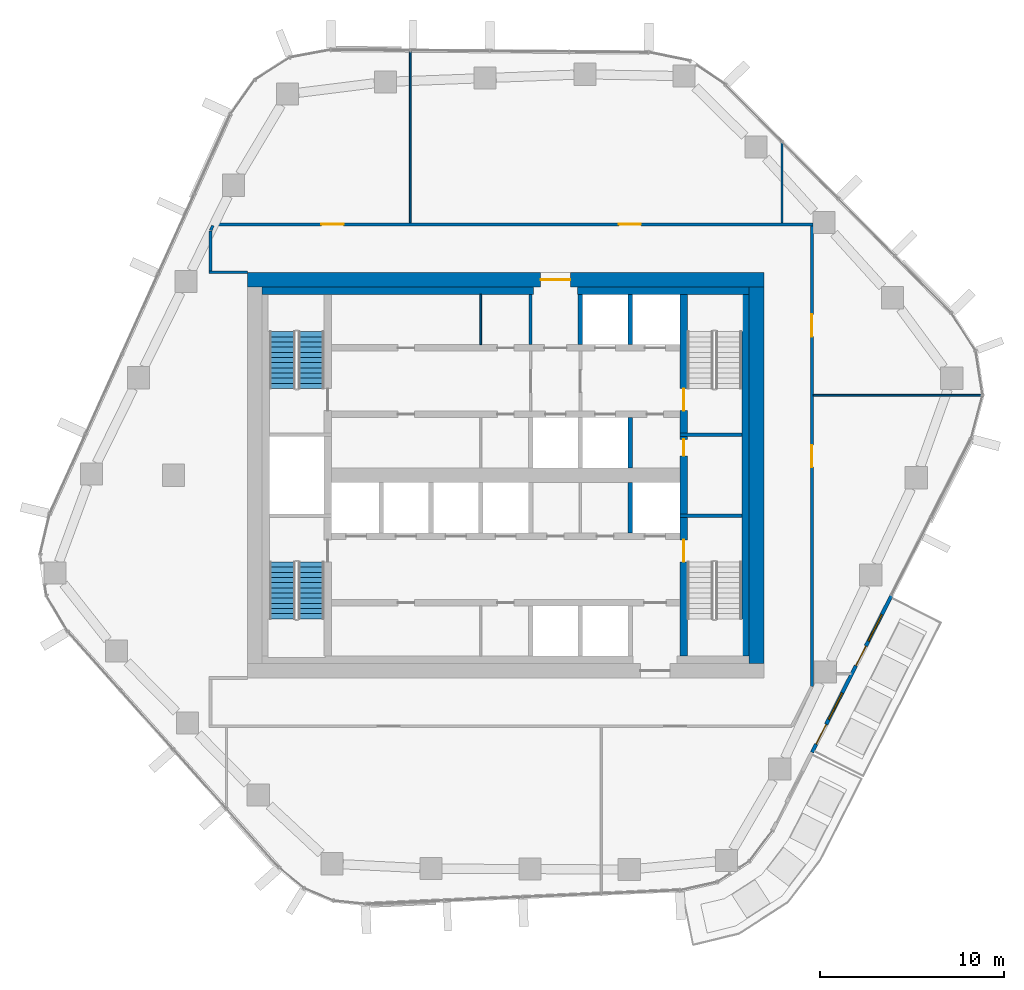
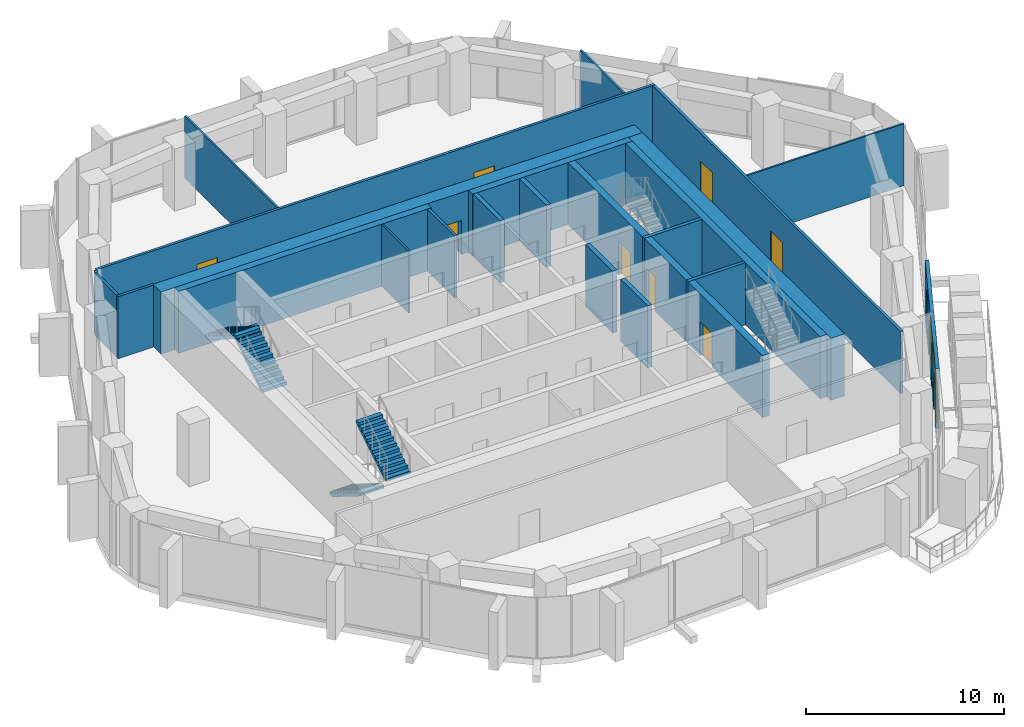
# One storey, part 12 of 17: 25 walls, 10 doors, 4 stair flights, 2 windows, 12 openings, 2 elements without a shape of their own.
"""IFC4 building model written with IfcOpenShell, lengths in metres."""

from ifc_helpers import new_model, si_unit, direction, frame, frame_2d, origin, place, context, subcontext, project, spatial, polyline, rectangle, outline, extrude, material, layer, layer_set, type_object, element, fill, aggregate, save


model = new_model("IFC4")

# Units and contexts
model_context = context("Model", 3, precision=1e-05, world=origin(), true_north=direction((0.0, 1.0)))
body_context = subcontext(model_context, "Body", "Model", "MODEL_VIEW")
ifc_project = project(units=[si_unit("LENGTHUNIT", "METRE"), si_unit("AREAUNIT", "SQUARE_METRE"), si_unit("VOLUMEUNIT", "CUBIC_METRE"), si_unit("PLANEANGLEUNIT", "RADIAN"), si_unit("MASSUNIT", "GRAM", prefix="KILO")], contexts=[model_context])

# Site, building, storey
site_placement = place(None, origin())
site = spatial("IfcSite", under=ifc_project, at=site_placement, CompositionType="ELEMENT")
building_placement = place(site_placement, origin())
building = spatial("IfcBuilding", under=site, at=building_placement, Name="Dongbaek Canopy Tower", CompositionType="ELEMENT")
storey_placement = place(building_placement, frame((0.0, 0.0, 175.39990234375)))
storey = spatial("IfcBuildingStorey", under=building, at=storey_placement, Name="L38", CompositionType="ELEMENT", Elevation=175.39990234375)

# Wall, opening, door
ifc_material_1 = material(Name="Concrete C70/85", Category="concrete")
ifc_layer_1 = layer(ifc_material_1, 0.800048828125)
ifc_layer_set_1 = layer_set([ifc_layer_1], Name="Core outer wall 800 Concrete C70/85")
wall_type_1 = type_object("IfcWallType", Name="Core outer wall 800 Concrete C70/85", PredefinedType="SHEAR", material=ifc_layer_set_1)
wall_1_placement = place(storey_placement, frame((-14.0, 10.60009765625, 0.0), z_axis=(0.0, 0.0, 1.0), x_axis=(1.0, 0.0, 0.0)))
wall_1 = element("IfcWall", 1, at=wall_1_placement, inside=storey, type_object=wall_type_1, Name="Core wall", PredefinedType="SHEAR", context=body_context, shape_type="SweptSolid", body=[
    extrude(rectangle(XDim=28.0, YDim=0.800048828125, at=frame_2d((14.0, 0.0))), origin(), (0.0, 0.0, 1.0), 3.820068359375),
])
opening_1_placement = place(wall_1_placement, frame((15.89990234375, 0.0, 0.0)))
opening_1 = element("IfcOpeningElement", 2, at=opening_1_placement, cuts=wall_1, Name="Opening L38-D008", PredefinedType="OPENING", context=body_context, shape_type="SweptSolid", body=[
    extrude(rectangle(XDim=1.60009765625, YDim=2.10009765625, at=frame_2d((0.800048828125, 1.050048828125))), frame((0.0, 0.409912109375, 0.0), z_axis=(0.0, -1.0, 0.0), x_axis=(1.0, 0.0, 0.0)), (0.0, 0.0, 1.0), 0.820068359375),
])
ifc_material_2 = material(Name="Steel", Category="steel")
door_type_1 = type_object("IfcDoorType", Name="Core exit door 1600 x 2100", OperationType="DOUBLE_DOOR_SINGLE_SWING", PredefinedType="DOOR", material=ifc_material_2)
door_1_placement = place(opening_1_placement, origin())
door_1 = element("IfcDoor", 3, at=door_1_placement, inside=storey, type_object=door_type_1, Name="Core exit door", OperationType="DOUBLE_DOOR_SINGLE_SWING", OverallHeight=2.10009765625, OverallWidth=1.60009765625, PredefinedType="DOOR", context=body_context, shape_type="SweptSolid", body=[
    extrude(rectangle(XDim=1.60009765625, YDim=2.10009765625, at=frame_2d((0.800048828125, 1.050048828125))), frame((0.0, 0.02490234375, 0.0), z_axis=(0.0, -1.0, 0.0), x_axis=(1.0, 0.0, 0.0)), (0.0, 0.0, 1.0), 0.050048828125),
])
fill(opening_1, door_1)

# Walls
wall_2_placement = place(storey_placement, frame((13.60009765625, 10.199951171875, 0.0), z_axis=(0.0, 0.0, 1.0), x_axis=(0.0, -1.0, 0.0)))
element("IfcWall", 4, at=wall_2_placement, inside=storey, type_object=wall_type_1, Name="Core wall", PredefinedType="SHEAR", context=body_context, shape_type="SweptSolid", body=[
    extrude(rectangle(XDim=20.39990234375, YDim=0.800048828125, at=frame_2d((10.199951171875, 0.0))), origin(), (0.0, 0.0, 1.0), 3.820068359375),
])
ifc_material_3 = material(Name="Concrete C60/75", Category="concrete")
ifc_layer_2 = layer(ifc_material_3, 0.39990234375)
ifc_layer_set_2 = layer_set([ifc_layer_2], Name="Core wall lining 400 Concrete C60/75")
wall_type_2 = type_object("IfcWallType", Name="Core wall lining 400 Concrete C60/75", PredefinedType="SHEAR", material=ifc_layer_set_2)
wall_3_placement = place(storey_placement, frame((-13.199951171875, 10.0, 0.0), z_axis=(0.0, 0.0, 1.0), x_axis=(1.0, 0.0, 0.0)))
element("IfcWall", 5, at=wall_3_placement, inside=storey, type_object=wall_type_2, Name="Core wall lining", PredefinedType="SHEAR", context=body_context, shape_type="SweptSolid", body=[
    extrude(rectangle(XDim=14.699951171875, YDim=0.39990234375, at=frame_2d((7.35009765625, 0.0))), origin(), (0.0, 0.0, 1.0), 3.820068359375),
])
wall_4_placement = place(storey_placement, frame((3.89990234375, 10.0, 0.0), z_axis=(0.0, 0.0, 1.0), x_axis=(1.0, 0.0, 0.0)))
element("IfcWall", 6, at=wall_4_placement, inside=storey, type_object=wall_type_2, Name="Core wall lining", PredefinedType="SHEAR", context=body_context, shape_type="SweptSolid", body=[
    extrude(rectangle(XDim=9.300048828125, YDim=0.39990234375, at=frame_2d((4.64990234375, 0.0))), origin(), (0.0, 0.0, 1.0), 3.820068359375),
])
wall_5_placement = place(storey_placement, frame((13.0, 9.800048828125, 0.0), z_axis=(0.0, 0.0, 1.0), x_axis=(0.0, -1.0, 0.0)))
element("IfcWall", 7, at=wall_5_placement, inside=storey, type_object=wall_type_2, Name="Core wall lining", PredefinedType="SHEAR", context=body_context, shape_type="SweptSolid", body=[
    extrude(rectangle(XDim=19.60009765625, YDim=0.39990234375, at=frame_2d((9.800048828125, 0.0))), origin(), (0.0, 0.0, 1.0), 3.820068359375),
])
ifc_material_4 = material(Name="Gypsum board partition, steel stud, 2 x 15 mm fire board", Category="steel")
ifc_layer_3 = layer(ifc_material_4, 0.14990234375)
ifc_layer_set_3 = layer_set([ifc_layer_3], Name="Fire-rated partition 150 gypsum board")
wall_type_3 = type_object("IfcWallType", Name="Fire-rated partition 150 gypsum board", PredefinedType="PARTITIONING", material=ifc_layer_set_3)
wall_6_placement = place(storey_placement, frame((-16.074951171875, 10.9990234375, 0.0), z_axis=(0.0, 0.0, 1.0), x_axis=(1.0, 0.0, 0.0)))
element("IfcWall", 8, at=wall_6_placement, inside=storey, type_object=wall_type_3, Name="Corridor partition", PredefinedType="PARTITIONING", context=body_context, shape_type="SweptSolid", body=[
    extrude(rectangle(XDim=2.074951171875, YDim=0.14990234375, at=frame_2d((1.03759765625, 0.0))), origin(), (0.0, 0.0, 1.0), 3.820068359375),
])

# Wall, openings, doors
wall_7_placement = place(storey_placement, frame((-15.841552734375, 13.60009765625, 0.0), z_axis=(0.0, 0.0, 1.0), x_axis=(1.0, 0.0, 0.0)))
wall_7 = element("IfcWall", 9, at=wall_7_placement, inside=storey, type_object=wall_type_3, Name="Corridor partition", PredefinedType="PARTITIONING", context=body_context, shape_type="SweptSolid", body=[
    extrude(rectangle(XDim=32.50244140625, YDim=0.14990234375, at=frame_2d((16.251220703125, 0.0))), origin(), (0.0, 0.0, 1.0), 3.820068359375),
])
opening_2_placement = place(wall_7_placement, frame((21.974365234375, 0.0, 0.0)))
opening_2 = element("IfcOpeningElement", 10, at=opening_2_placement, cuts=wall_7, Name="Opening L38-D005", PredefinedType="OPENING", context=body_context, shape_type="SweptSolid", body=[
    extrude(rectangle(XDim=1.199951171875, YDim=2.10009765625, at=frame_2d((0.60009765625, 1.050048828125))), frame((0.0, 0.0849609375, 0.0), z_axis=(0.0, -1.0, 0.0), x_axis=(1.0, 0.0, 0.0)), (0.0, 0.0, 1.0), 0.169921875),
])
opening_3_placement = place(wall_7_placement, frame((5.853759765625, 0.0, 0.0)))
opening_3 = element("IfcOpeningElement", 11, at=opening_3_placement, cuts=wall_7, Name="Opening L38-D006", PredefinedType="OPENING", context=body_context, shape_type="SweptSolid", body=[
    extrude(rectangle(XDim=1.199951171875, YDim=2.10009765625, at=frame_2d((0.60009765625, 1.050048828125))), frame((0.0, 0.0849609375, 0.0), z_axis=(0.0, -1.0, 0.0), x_axis=(1.0, 0.0, 0.0)), (0.0, 0.0, 1.0), 0.169921875),
])
ifc_material_5 = material(Name="Timber veneered door leaf", Category="wood")
door_type_2 = type_object("IfcDoorType", Name="Room door 1200 x 2100", OperationType="SINGLE_SWING_LEFT", PredefinedType="DOOR", material=ifc_material_5)
door_2_placement = place(opening_2_placement, origin())
door_2 = element("IfcDoor", 12, at=door_2_placement, inside=storey, type_object=door_type_2, Name="Door L38-D005", OperationType="SINGLE_SWING_RIGHT", OverallHeight=2.10009765625, OverallWidth=1.199951171875, PredefinedType="DOOR", context=body_context, shape_type="SweptSolid", body=[
    extrude(rectangle(XDim=1.199951171875, YDim=2.10009765625, at=frame_2d((0.60009765625, 1.050048828125))), frame((0.0, 0.02490234375, 0.0), z_axis=(0.0, -1.0, 0.0), x_axis=(1.0, 0.0, 0.0)), (0.0, 0.0, 1.0), 0.050048828125),
])
fill(opening_2, door_2)
door_3_placement = place(opening_3_placement, origin())
door_3 = element("IfcDoor", 13, at=door_3_placement, inside=storey, type_object=door_type_2, Name="Door L38-D006", OperationType="SINGLE_SWING_LEFT", OverallHeight=2.10009765625, OverallWidth=1.199951171875, PredefinedType="DOOR", context=body_context, shape_type="SweptSolid", body=[
    extrude(rectangle(XDim=1.199951171875, YDim=2.10009765625, at=frame_2d((0.60009765625, 1.050048828125))), frame((0.0, 0.02490234375, 0.0), z_axis=(0.0, -1.0, 0.0), x_axis=(1.0, 0.0, 0.0)), (0.0, 0.0, 1.0), 0.050048828125),
])
fill(opening_3, door_3)

# Wall
wall_8_placement = place(storey_placement, frame((-15.98681640625, 13.279541015625, 0.0), z_axis=(0.0, 0.0, 1.0), x_axis=(0.411842245902, 0.911255158828, 0.0)))
element("IfcWall", 14, at=wall_8_placement, inside=storey, type_object=wall_type_3, Name="Corridor partition", PredefinedType="PARTITIONING", context=body_context, shape_type="SweptSolid", body=[
    extrude(rectangle(XDim=0.281494140625, YDim=0.14990234375, at=frame_2d((0.140625, 0.0))), origin(), (0.0, 0.0, 1.0), 3.820068359375),
])

# Wall, openings, doors
wall_9_placement = place(storey_placement, frame((16.60009765625, 13.52490234375, 0.0), z_axis=(0.0, 0.0, 1.0), x_axis=(0.0, -1.0, 0.0)))
wall_9 = element("IfcWall", 15, at=wall_9_placement, inside=storey, type_object=wall_type_3, Name="Corridor partition", PredefinedType="PARTITIONING", context=body_context, shape_type="SweptSolid", body=[
    extrude(rectangle(XDim=24.974609375, YDim=0.14990234375, at=frame_2d((12.4873046875, 0.0))), origin(), (0.0, 0.0, 1.0), 3.820068359375),
])
opening_4_placement = place(wall_9_placement, frame((11.88818359375, 0.0, 0.0)))
opening_4 = element("IfcOpeningElement", 16, at=opening_4_placement, cuts=wall_9, Name="Opening L38-D003", PredefinedType="OPENING", context=body_context, shape_type="SweptSolid", body=[
    extrude(rectangle(XDim=1.199951171875, YDim=2.10009765625, at=frame_2d((0.60009765625, 1.050048828125))), frame((0.0, 0.0849609375, 0.0), z_axis=(0.0, -1.0, 0.0), x_axis=(1.0, 0.0, 0.0)), (0.0, 0.0, 1.0), 0.169921875),
])
opening_5_placement = place(wall_9_placement, frame((4.80810546875, 0.0, 0.0)))
opening_5 = element("IfcOpeningElement", 17, at=opening_5_placement, cuts=wall_9, Name="Opening L38-D004", PredefinedType="OPENING", context=body_context, shape_type="SweptSolid", body=[
    extrude(rectangle(XDim=1.199951171875, YDim=2.10009765625, at=frame_2d((0.60009765625, 1.050048828125))), frame((0.0, 0.0849609375, 0.0), z_axis=(0.0, -1.0, 0.0), x_axis=(1.0, 0.0, 0.0)), (0.0, 0.0, 1.0), 0.169921875),
])
door_4_placement = place(opening_4_placement, origin())
door_4 = element("IfcDoor", 18, at=door_4_placement, inside=storey, type_object=door_type_2, Name="Door L38-D003", OperationType="SINGLE_SWING_RIGHT", OverallHeight=2.10009765625, OverallWidth=1.199951171875, PredefinedType="DOOR", context=body_context, shape_type="SweptSolid", body=[
    extrude(rectangle(XDim=1.199951171875, YDim=2.10009765625, at=frame_2d((0.60009765625, 1.050048828125))), frame((0.0, 0.02490234375, 0.0), z_axis=(0.0, -1.0, 0.0), x_axis=(1.0, 0.0, 0.0)), (0.0, 0.0, 1.0), 0.050048828125),
])
fill(opening_4, door_4)
door_5_placement = place(opening_5_placement, origin())
door_5 = element("IfcDoor", 19, at=door_5_placement, inside=storey, type_object=door_type_2, Name="Door L38-D004", OperationType="SINGLE_SWING_LEFT", OverallHeight=2.10009765625, OverallWidth=1.199951171875, PredefinedType="DOOR", context=body_context, shape_type="SweptSolid", body=[
    extrude(rectangle(XDim=1.199951171875, YDim=2.10009765625, at=frame_2d((0.60009765625, 1.050048828125))), frame((0.0, 0.02490234375, 0.0), z_axis=(0.0, -1.0, 0.0), x_axis=(1.0, 0.0, 0.0)), (0.0, 0.0, 1.0), 0.050048828125),
])
fill(opening_5, door_5)

# Walls
wall_10_placement = place(storey_placement, frame((-16.0, 11.073974609375, 0.0), z_axis=(0.0, 0.0, 1.0), x_axis=(0.0, 1.0, 0.0)))
element("IfcWall", 20, at=wall_10_placement, inside=storey, type_object=wall_type_3, Name="Corridor partition", PredefinedType="PARTITIONING", context=body_context, shape_type="SweptSolid", body=[
    extrude(rectangle(XDim=2.175537109375, YDim=0.14990234375, at=frame_2d((1.087890625, 0.0))), origin(), (0.0, 0.0, 1.0), 3.820068359375),
])
wall_11_placement = place(storey_placement, frame((1.35009765625, 7.074951171875, 0.0), z_axis=(0.0, 0.0, 1.0), x_axis=(0.0, 1.0, 0.0)))
element("IfcWall", 21, at=wall_11_placement, inside=storey, type_object=wall_type_3, Name="Fire lobby partition", PredefinedType="PARTITIONING", context=body_context, shape_type="SweptSolid", body=[
    extrude(rectangle(XDim=2.72509765625, YDim=0.14990234375, at=frame_2d((1.362548828125, 0.0))), origin(), (0.0, 0.0, 1.0), 3.820068359375),
])
ifc_material_6 = material(Name="Concrete C40/50", Category="concrete")
ifc_layer_4 = layer(ifc_material_6, 0.25)
ifc_layer_set_4 = layer_set([ifc_layer_4], Name="Lift shaft wall 250 Concrete C40/50")
wall_type_4 = type_object("IfcWallType", Name="Lift shaft wall 250 Concrete C40/50", PredefinedType="SOLIDWALL", material=ifc_layer_set_4)
for number, where, z_axis, x_axis, name in (
    (22, (6.75, -3.125, 0.0), (0.0, 0.0, 1.0), (0.0, 1.0, 0.0), "Lift shaft wall"),
    (23, (6.75, 0.39990234375, 0.0), (0.0, 0.0, 1.0), (0.0, 1.0, 0.0), "Lift shaft wall"),
    (24, (6.75, 7.074951171875, 0.0), (0.0, 0.0, 1.0), (0.0, 1.0, 0.0), "Lift shaft wall"),
    (25, (4.050048828125, 7.074951171875, 0.0), (0.0, 0.0, 1.0), (0.0, 1.0, 0.0), "Lift shaft wall"),
):
    element("IfcWall", number, at=place(storey_placement, frame(where, z_axis=z_axis, x_axis=x_axis)), inside=storey, type_object=wall_type_4, Name=name, PredefinedType="SOLIDWALL", context=body_context, shape_type="SweptSolid", body=[
        extrude(rectangle(XDim=2.72509765625, YDim=0.25, at=frame_2d((1.362548828125, 0.0))), origin(), (0.0, 0.0, 1.0), 3.820068359375),
    ])
ifc_material_7 = material(Name="Gypsum board partition, steel stud, 2 x 12.5 mm board", Category="steel")
ifc_layer_5 = layer(ifc_material_7, 0.10009765625)
ifc_layer_set_5 = layer_set([ifc_layer_5], Name="Partition 100 gypsum board")
wall_type_5 = type_object("IfcWallType", Name="Partition 100 gypsum board", PredefinedType="PARTITIONING", material=ifc_layer_set_5)
wall_12_placement = place(storey_placement, frame((16.675048828125, 4.340087890625, 0.0), z_axis=(0.0, 0.0, 1.0), x_axis=(1.0, 0.0, 0.0)))
element("IfcWall", 26, at=wall_12_placement, inside=storey, type_object=wall_type_5, Name="Partition", PredefinedType="PARTITIONING", context=body_context, shape_type="SweptSolid", body=[
    extrude(rectangle(XDim=9.154296875, YDim=0.10009765625, at=frame_2d((4.5771484375, 0.0))), origin(), (0.0, 0.0, 1.0), 3.820068359375),
])
wall_13_placement = place(storey_placement, frame((14.97509765625, 13.675048828125, 0.0), z_axis=(0.0, 0.0, 1.0), x_axis=(0.0, 1.0, 0.0)))
element("IfcWall", 27, at=wall_13_placement, inside=storey, type_object=wall_type_5, Name="Partition", PredefinedType="PARTITIONING", context=body_context, shape_type="SweptSolid", body=[
    extrude(rectangle(XDim=4.378662109375, YDim=0.10009765625, at=frame_2d((2.189453125, 0.0))), origin(), (0.0, 0.0, 1.0), 3.820068359375),
])
wall_14_placement = place(storey_placement, frame((-5.173095703125, 13.675048828125, 0.0), z_axis=(0.0, 0.0, 1.0), x_axis=(0.0, 1.0, 0.0)))
element("IfcWall", 28, at=wall_14_placement, inside=storey, type_object=wall_type_5, Name="Partition", PredefinedType="PARTITIONING", context=body_context, shape_type="SweptSolid", body=[
    extrude(rectangle(XDim=9.33349609375, YDim=0.10009765625, at=frame_2d((4.666748046875, 0.0))), origin(), (0.0, 0.0, 1.0), 3.820068359375),
])
wall_15_placement = place(storey_placement, frame((-1.35009765625, 7.074951171875, 0.0), z_axis=(0.0, 0.0, 1.0), x_axis=(0.0, 1.0, 0.0)))
element("IfcWall", 29, at=wall_15_placement, inside=storey, type_object=wall_type_5, Name="Core partition", PredefinedType="PARTITIONING", context=body_context, shape_type="SweptSolid", body=[
    extrude(rectangle(XDim=2.72509765625, YDim=0.10009765625, at=frame_2d((1.362548828125, 0.0))), origin(), (0.0, 0.0, 1.0), 3.820068359375),
])
ifc_material_8 = material(Name="Concrete C60/75", Category="concrete")
ifc_layer_6 = layer(ifc_material_8, 0.199951171875)
ifc_layer_set_6 = layer_set([ifc_layer_6], Name="Riser wall 200 Concrete C60/75")
wall_type_6 = type_object("IfcWallType", Name="Riser wall 200 Concrete C60/75", PredefinedType="SHEAR", material=ifc_layer_set_6)
for number, where, z_axis, x_axis, name in (
    (30, (9.449951171875, 2.199951171875, 0.0), (0.0, 0.0, 1.0), (1.0, 0.0, 0.0), "Riser wall"),
    (31, (9.449951171875, -2.199951171875, 0.0), (0.0, 0.0, 1.0), (1.0, 0.0, 0.0), "Riser wall"),
):
    element("IfcWall", number, at=place(storey_placement, frame(where, z_axis=z_axis, x_axis=x_axis)), inside=storey, type_object=wall_type_6, Name=name, PredefinedType="SHEAR", context=body_context, shape_type="SweptSolid", body=[
        extrude(rectangle(XDim=3.35009765625, YDim=0.199951171875, at=frame_2d((1.675048828125, 0.0))), origin(), (0.0, 0.0, 1.0), 3.820068359375),
    ])

# Wall, opening, door
ifc_material_9 = material(Name="Concrete C60/75", Category="concrete")
ifc_layer_7 = layer(ifc_material_9, 0.39990234375)
ifc_layer_set_7 = layer_set([ifc_layer_7], Name="Stair wall 400 Concrete C60/75")
wall_type_7 = type_object("IfcWallType", Name="Stair wall 400 Concrete C60/75", PredefinedType="SHEAR", material=ifc_layer_set_7)
wall_16_placement = place(storey_placement, frame((9.64990234375, -2.300048828125, 0.0), z_axis=(0.0, 0.0, 1.0), x_axis=(0.0, -1.0, 0.0)))
wall_16 = element("IfcWall", 32, at=wall_16_placement, inside=storey, type_object=wall_type_7, Name="Stair wall", PredefinedType="SHEAR", context=body_context, shape_type="SweptSolid", body=[
    extrude(rectangle(XDim=7.5, YDim=0.39990234375, at=frame_2d((3.75, 0.0))), origin(), (0.0, 0.0, 1.0), 3.820068359375),
])
opening_6_placement = place(wall_16_placement, frame((1.199951171875, 0.0, 0.0)))
opening_6 = element("IfcOpeningElement", 33, at=opening_6_placement, cuts=wall_16, Name="Opening L38-D032", PredefinedType="OPENING", context=body_context, shape_type="SweptSolid", body=[
    extrude(rectangle(XDim=1.199951171875, YDim=2.10009765625, at=frame_2d((0.60009765625, 1.050048828125))), frame((0.0, 0.2099609375, 0.0), z_axis=(0.0, -1.0, 0.0), x_axis=(1.0, 0.0, 0.0)), (0.0, 0.0, 1.0), 0.419921875),
])
ifc_material_10 = material(Name="Steel", Category="steel")
door_type_3 = type_object("IfcDoorType", Name="Stair door 1200 x 2100", OperationType="SINGLE_SWING_LEFT", PredefinedType="DOOR", material=ifc_material_10)
door_6_placement = place(opening_6_placement, origin())
door_6 = element("IfcDoor", 34, at=door_6_placement, inside=storey, type_object=door_type_3, Name="Stair B door", OperationType="SINGLE_SWING_RIGHT", OverallHeight=2.10009765625, OverallWidth=1.199951171875, PredefinedType="DOOR", context=body_context, shape_type="SweptSolid", body=[
    extrude(rectangle(XDim=1.199951171875, YDim=2.10009765625, at=frame_2d((0.60009765625, 1.050048828125))), frame((0.0, 0.02490234375, 0.0), z_axis=(0.0, -1.0, 0.0), x_axis=(1.0, 0.0, 0.0)), (0.0, 0.0, 1.0), 0.050048828125),
])
fill(opening_6, door_6)

wall_17_placement = place(storey_placement, frame((9.64990234375, 2.10009765625, 0.0), z_axis=(0.0, 0.0, 1.0), x_axis=(0.0, -1.0, 0.0)))
wall_17 = element("IfcWall", 35, at=wall_17_placement, inside=storey, type_object=wall_type_7, Name="Stair wall", PredefinedType="SHEAR", context=body_context, shape_type="SweptSolid", body=[
    extrude(rectangle(XDim=4.2001953125, YDim=0.39990234375, at=frame_2d((2.10009765625, 0.0))), origin(), (0.0, 0.0, 1.0), 3.820068359375),
])
opening_7_placement = place(wall_17_placement, frame((0.14990234375, 0.0, 0.0)))
opening_7 = element("IfcOpeningElement", 36, at=opening_7_placement, cuts=wall_17, Name="Opening L38-D007", PredefinedType="OPENING", context=body_context, shape_type="SweptSolid", body=[
    extrude(rectangle(XDim=0.89990234375, YDim=2.10009765625, at=frame_2d((0.449951171875, 1.050048828125))), frame((0.0, 0.2099609375, 0.0), z_axis=(0.0, -1.0, 0.0), x_axis=(1.0, 0.0, 0.0)), (0.0, 0.0, 1.0), 0.419921875),
])
ifc_material_11 = material(Name="Steel", Category="steel")
door_type_4 = type_object("IfcDoorType", Name="Core room door 900 x 2100", OperationType="SINGLE_SWING_LEFT", PredefinedType="DOOR", material=ifc_material_11)
door_7_placement = place(opening_7_placement, origin())
door_7 = element("IfcDoor", 37, at=door_7_placement, inside=storey, type_object=door_type_4, Name="Door L38-D007", OperationType="SINGLE_SWING_RIGHT", OverallHeight=2.10009765625, OverallWidth=0.89990234375, PredefinedType="DOOR", context=body_context, shape_type="SweptSolid", body=[
    extrude(rectangle(XDim=0.89990234375, YDim=2.10009765625, at=frame_2d((0.449951171875, 1.050048828125))), frame((0.0, 0.02490234375, 0.0), z_axis=(0.0, -1.0, 0.0), x_axis=(1.0, 0.0, 0.0)), (0.0, 0.0, 1.0), 0.050048828125),
])
fill(opening_7, door_7)

wall_18_placement = place(storey_placement, frame((9.64990234375, 9.800048828125, 0.0), z_axis=(0.0, 0.0, 1.0), x_axis=(0.0, -1.0, 0.0)))
wall_18 = element("IfcWall", 38, at=wall_18_placement, inside=storey, type_object=wall_type_7, Name="Stair wall", PredefinedType="SHEAR", context=body_context, shape_type="SweptSolid", body=[
    extrude(rectangle(XDim=7.5, YDim=0.39990234375, at=frame_2d((3.75, 0.0))), origin(), (0.0, 0.0, 1.0), 3.820068359375),
])
opening_8_placement = place(wall_18_placement, frame((5.10009765625, 0.0, 0.0)))
opening_8 = element("IfcOpeningElement", 39, at=opening_8_placement, cuts=wall_18, Name="Opening L38-D030", PredefinedType="OPENING", context=body_context, shape_type="SweptSolid", body=[
    extrude(rectangle(XDim=1.199951171875, YDim=2.10009765625, at=frame_2d((0.60009765625, 1.050048828125))), frame((0.0, 0.2099609375, 0.0), z_axis=(0.0, -1.0, 0.0), x_axis=(1.0, 0.0, 0.0)), (0.0, 0.0, 1.0), 0.419921875),
])
door_8_placement = place(opening_8_placement, origin())
door_8 = element("IfcDoor", 40, at=door_8_placement, inside=storey, type_object=door_type_3, Name="Stair A door", OperationType="SINGLE_SWING_LEFT", OverallHeight=2.10009765625, OverallWidth=1.199951171875, PredefinedType="DOOR", context=body_context, shape_type="SweptSolid", body=[
    extrude(rectangle(XDim=1.199951171875, YDim=2.10009765625, at=frame_2d((0.60009765625, 1.050048828125))), frame((0.0, 0.02490234375, 0.0), z_axis=(0.0, -1.0, 0.0), x_axis=(1.0, 0.0, 0.0)), (0.0, 0.0, 1.0), 0.050048828125),
])
fill(opening_8, door_8)

# Wall, openings, doors, windows
ifc_material_12 = material(Name="Aluminium window wall", Category="aluminium")
ifc_layer_8 = layer(ifc_material_12, 0.199951171875)
ifc_layer_set_8 = layer_set([ifc_layer_8], Name="Window wall 200")
wall_type_8 = type_object("IfcWallType", Name="Window wall 200", PredefinedType="SOLIDWALL", material=ifc_layer_set_8)
wall_19_placement = place(storey_placement, frame((16.60791015625, -15.01806640625, 0.0), z_axis=(0.0, 0.0, 1.0), x_axis=(0.452002844598, 0.89201649563, 0.0)))
wall_19 = element("IfcWall", 41, at=wall_19_placement, inside=storey, type_object=wall_type_8, Name="Window wall L38 1", PredefinedType="SOLIDWALL", context=body_context, shape_type="SweptSolid", body=[
    extrude(rectangle(XDim=9.530029296875, YDim=0.199951171875, at=frame_2d((4.76513671875, 0.0))), origin(), (0.0, 0.0, 1.0), 3.7001953125),
])
opening_9_placement = place(wall_19_placement, frame((2.0, 0.0, 0.60009765625)))
opening_9 = element("IfcOpeningElement", 42, at=opening_9_placement, cuts=wall_19, Name="Opening W1", PredefinedType="OPENING", context=body_context, shape_type="SweptSolid", body=[
    extrude(rectangle(XDim=1.60009765625, YDim=2.39990234375, at=frame_2d((0.800048828125, 1.199951171875))), frame((0.0, 0.10986328125, 0.0), z_axis=(0.0, -1.0, 0.0), x_axis=(1.0, 0.0, 0.0)), (0.0, 0.0, 1.0), 0.219970703125),
])
opening_10_placement = place(wall_19_placement, frame((0.5, 0.0, 0.0)))
opening_10 = element("IfcOpeningElement", 43, at=opening_10_placement, cuts=wall_19, Name="Opening L38-B01", PredefinedType="OPENING", context=body_context, shape_type="SweptSolid", body=[
    extrude(rectangle(XDim=1.199951171875, YDim=2.39990234375, at=frame_2d((0.60009765625, 1.199951171875))), frame((0.0, 0.10986328125, 0.0), z_axis=(0.0, -1.0, 0.0), x_axis=(1.0, 0.0, 0.0)), (0.0, 0.0, 1.0), 0.219970703125),
])
opening_11_placement = place(wall_19_placement, frame((6.76513671875, 0.0, 0.60009765625)))
opening_11 = element("IfcOpeningElement", 44, at=opening_11_placement, cuts=wall_19, Name="Opening W1", PredefinedType="OPENING", context=body_context, shape_type="SweptSolid", body=[
    extrude(rectangle(XDim=1.60009765625, YDim=2.39990234375, at=frame_2d((0.800048828125, 1.199951171875))), frame((0.0, 0.10986328125, 0.0), z_axis=(0.0, -1.0, 0.0), x_axis=(1.0, 0.0, 0.0)), (0.0, 0.0, 1.0), 0.219970703125),
])
opening_12_placement = place(wall_19_placement, frame((5.26513671875, 0.0, 0.0)))
opening_12 = element("IfcOpeningElement", 45, at=opening_12_placement, cuts=wall_19, Name="Opening L38-B02", PredefinedType="OPENING", context=body_context, shape_type="SweptSolid", body=[
    extrude(rectangle(XDim=1.199951171875, YDim=2.39990234375, at=frame_2d((0.60009765625, 1.199951171875))), frame((0.0, 0.10986328125, 0.0), z_axis=(0.0, -1.0, 0.0), x_axis=(1.0, 0.0, 0.0)), (0.0, 0.0, 1.0), 0.219970703125),
])
ifc_material_13 = material(Name="Clear glazing in aluminium frame", Category="aluminium")
door_type_5 = type_object("IfcDoorType", Name="Balcony door BD1 1200 x 2400", OperationType="SLIDING_TO_LEFT", PredefinedType="DOOR", material=ifc_material_13)
door_9_placement = place(opening_10_placement, origin())
door_9 = element("IfcDoor", 46, at=door_9_placement, inside=storey, type_object=door_type_5, Name="Balcony door L38-B01", OperationType="SLIDING_TO_LEFT", OverallHeight=2.39990234375, OverallWidth=1.199951171875, PredefinedType="DOOR", context=body_context, shape_type="SweptSolid", body=[
    extrude(rectangle(XDim=1.199951171875, YDim=2.39990234375, at=frame_2d((0.60009765625, 1.199951171875))), frame((0.0, 0.02490234375, 0.0), z_axis=(0.0, -1.0, 0.0), x_axis=(1.0, 0.0, 0.0)), (0.0, 0.0, 1.0), 0.050048828125),
])
fill(opening_10, door_9)
door_10_placement = place(opening_12_placement, origin())
door_10 = element("IfcDoor", 47, at=door_10_placement, inside=storey, type_object=door_type_5, Name="Balcony door L38-B02", OperationType="SLIDING_TO_LEFT", OverallHeight=2.39990234375, OverallWidth=1.199951171875, PredefinedType="DOOR", context=body_context, shape_type="SweptSolid", body=[
    extrude(rectangle(XDim=1.199951171875, YDim=2.39990234375, at=frame_2d((0.60009765625, 1.199951171875))), frame((0.0, 0.02490234375, 0.0), z_axis=(0.0, -1.0, 0.0), x_axis=(1.0, 0.0, 0.0)), (0.0, 0.0, 1.0), 0.050048828125),
])
fill(opening_12, door_10)
ifc_material_14 = material(Name="Clear glazing in aluminium frame", Category="aluminium")
window_type = type_object("IfcWindowType", Name="Window W1 1600 x 2400", PartitioningType="SINGLE_PANEL", PredefinedType="WINDOW", material=ifc_material_14)
window_1_placement = place(opening_9_placement, origin())
window_1 = element("IfcWindow", 48, at=window_1_placement, inside=storey, type_object=window_type, Name="Window L38 1.1", OverallHeight=2.39990234375, OverallWidth=1.60009765625, PartitioningType="SINGLE_PANEL", PredefinedType="WINDOW", context=body_context, shape_type="SweptSolid", body=[
    extrude(rectangle(XDim=1.60009765625, YDim=2.39990234375, at=frame_2d((0.800048828125, 1.199951171875))), frame((0.0, 0.030029296875, 0.0), z_axis=(0.0, -1.0, 0.0), x_axis=(1.0, 0.0, 0.0)), (0.0, 0.0, 1.0), 0.06005859375),
])
fill(opening_9, window_1)
window_2_placement = place(opening_11_placement, origin())
window_2 = element("IfcWindow", 49, at=window_2_placement, inside=storey, type_object=window_type, Name="Window L38 1.2", OverallHeight=2.39990234375, OverallWidth=1.60009765625, PartitioningType="SINGLE_PANEL", PredefinedType="WINDOW", context=body_context, shape_type="SweptSolid", body=[
    extrude(rectangle(XDim=1.60009765625, YDim=2.39990234375, at=frame_2d((0.800048828125, 1.199951171875))), frame((0.0, 0.030029296875, 0.0), z_axis=(0.0, -1.0, 0.0), x_axis=(1.0, 0.0, 0.0)), (0.0, 0.0, 1.0), 0.06005859375),
])
fill(opening_11, window_2)

# Stair, stair flights
ifc_material_15 = material(Name="Concrete C40/50", Category="concrete")
stair_type = type_object("IfcStairType", Name="Core exit stair", PredefinedType="HALF_TURN_STAIR", material=ifc_material_15)
stair_1_placement = place(storey_placement, origin())
stair_1 = element("IfcStair", 50, at=stair_1_placement, inside=storey, type_object=stair_type, Name="L38 exit stair C", PredefinedType="HALF_TURN_STAIR")
ifc_material_16 = material(Name="Concrete C40/50", Category="concrete")
ifc_layer_9 = layer(ifc_material_16, 0.14990234375)
ifc_layer_set_9 = layer_set([ifc_layer_9], Name="Core stair flight 150 waist")
stair_flight_type = type_object("IfcStairFlightType", Name="Core stair flight 150 waist", PredefinedType="STRAIGHT", material=ifc_layer_set_9)
stair_flight_1_placement = place(storey_placement, frame((-10.550048828125, 4.699951171875, 0.0), z_axis=(0.0, 0.0, 1.0), x_axis=(0.0, 1.0, 0.0)))
stair_flight_1 = element("IfcStairFlight", 51, at=stair_flight_1_placement, type_object=stair_flight_type, Name="ST-C flight 1", NumberOfRisers=12, NumberOfTreads=11, PredefinedType="STRAIGHT", RiserHeight=0.175, TreadLength=0.28, context=body_context, shape_type="SweptSolid", body=[
    extrude(outline(polyline([(0.0, 0.0), (0.0, 0.175048828125), (0.280029296875, 0.175048828125), (0.280029296875, 0.35009765625), (0.56005859375, 0.35009765625), (0.56005859375, 0.52490234375), (0.840087890625, 0.52490234375), (0.840087890625, 0.699951171875), (1.1201171875, 0.699951171875), (1.1201171875, 0.875), (1.39990234375, 0.875), (1.39990234375, 1.050048828125), (1.679931640625, 1.050048828125), (1.679931640625, 1.22509765625), (1.9599609375, 1.22509765625), (1.9599609375, 1.39990234375), (2.239990234375, 1.39990234375), (2.239990234375, 1.574951171875), (2.52001953125, 1.574951171875), (2.52001953125, 1.75), (2.800048828125, 1.75), (2.800048828125, 1.925048828125), (3.080078125, 1.925048828125), (3.080078125, 2.10009765625), (3.080078125, 1.748291015625), (0.28271484375, 0.0), (0.0, 0.0)])), frame((0.0, 0.699951171875, 0.0), z_axis=(0.0, -1.0, 0.0), x_axis=(1.0, 0.0, 0.0)), (0.0, 0.0, 1.0), 1.39990234375),
])
stair_flight_2_placement = place(storey_placement, frame((-12.10009765625, 7.780029296875, 2.10009765625), z_axis=(0.0, 0.0, 1.0), x_axis=(0.0, -1.0, 0.0)))
stair_flight_2 = element("IfcStairFlight", 52, at=stair_flight_2_placement, type_object=stair_flight_type, Name="ST-C flight 2", NumberOfRisers=12, NumberOfTreads=11, PredefinedType="STRAIGHT", RiserHeight=0.175, TreadLength=0.28, context=body_context, shape_type="SweptSolid", body=[
    extrude(outline(polyline([(0.0, 0.0), (0.0, 0.175048828125), (0.280029296875, 0.175048828125), (0.280029296875, 0.35009765625), (0.56005859375, 0.35009765625), (0.56005859375, 0.52490234375), (0.840087890625, 0.52490234375), (0.840087890625, 0.699951171875), (1.1201171875, 0.699951171875), (1.1201171875, 0.875), (1.39990234375, 0.875), (1.39990234375, 1.050048828125), (1.679931640625, 1.050048828125), (1.679931640625, 1.22509765625), (1.9599609375, 1.22509765625), (1.9599609375, 1.39990234375), (2.239990234375, 1.39990234375), (2.239990234375, 1.574951171875), (2.52001953125, 1.574951171875), (2.52001953125, 1.75), (2.800048828125, 1.75), (2.800048828125, 1.925048828125), (3.080078125, 1.925048828125), (3.080078125, 2.10009765625), (3.080078125, 1.748291015625), (0.28271484375, 0.0), (0.0, 0.0)])), frame((0.0, 0.699951171875, 0.0), z_axis=(0.0, -1.0, 0.0), x_axis=(1.0, 0.0, 0.0)), (0.0, 0.0, 1.0), 1.39990234375),
])
aggregate(stair_1, [stair_flight_1, stair_flight_2])

stair_2_placement = place(storey_placement, origin())
stair_2 = element("IfcStair", 53, at=stair_2_placement, inside=storey, type_object=stair_type, Name="L38 exit stair D", PredefinedType="HALF_TURN_STAIR")
stair_flight_3_placement = place(storey_placement, frame((-12.10009765625, -4.699951171875, 0.0), z_axis=(0.0, 0.0, 1.0), x_axis=(0.0, -1.0, 0.0)))
stair_flight_3 = element("IfcStairFlight", 54, at=stair_flight_3_placement, type_object=stair_flight_type, Name="ST-D flight 1", NumberOfRisers=12, NumberOfTreads=11, PredefinedType="STRAIGHT", RiserHeight=0.175, TreadLength=0.28, context=body_context, shape_type="SweptSolid", body=[
    extrude(outline(polyline([(0.0, 0.0), (0.0, 0.175048828125), (0.280029296875, 0.175048828125), (0.280029296875, 0.35009765625), (0.56005859375, 0.35009765625), (0.56005859375, 0.52490234375), (0.840087890625, 0.52490234375), (0.840087890625, 0.699951171875), (1.1201171875, 0.699951171875), (1.1201171875, 0.875), (1.39990234375, 0.875), (1.39990234375, 1.050048828125), (1.679931640625, 1.050048828125), (1.679931640625, 1.22509765625), (1.9599609375, 1.22509765625), (1.9599609375, 1.39990234375), (2.239990234375, 1.39990234375), (2.239990234375, 1.574951171875), (2.52001953125, 1.574951171875), (2.52001953125, 1.75), (2.800048828125, 1.75), (2.800048828125, 1.925048828125), (3.080078125, 1.925048828125), (3.080078125, 2.10009765625), (3.080078125, 1.748291015625), (0.28271484375, 0.0), (0.0, 0.0)])), frame((0.0, 0.699951171875, 0.0), z_axis=(0.0, -1.0, 0.0), x_axis=(1.0, 0.0, 0.0)), (0.0, 0.0, 1.0), 1.39990234375),
])
stair_flight_4_placement = place(storey_placement, frame((-10.550048828125, -7.780029296875, 2.10009765625), z_axis=(0.0, 0.0, 1.0), x_axis=(0.0, 1.0, 0.0)))
stair_flight_4 = element("IfcStairFlight", 55, at=stair_flight_4_placement, type_object=stair_flight_type, Name="ST-D flight 2", NumberOfRisers=12, NumberOfTreads=11, PredefinedType="STRAIGHT", RiserHeight=0.175, TreadLength=0.28, context=body_context, shape_type="SweptSolid", body=[
    extrude(outline(polyline([(0.0, 0.0), (0.0, 0.175048828125), (0.280029296875, 0.175048828125), (0.280029296875, 0.35009765625), (0.56005859375, 0.35009765625), (0.56005859375, 0.52490234375), (0.840087890625, 0.52490234375), (0.840087890625, 0.699951171875), (1.1201171875, 0.699951171875), (1.1201171875, 0.875), (1.39990234375, 0.875), (1.39990234375, 1.050048828125), (1.679931640625, 1.050048828125), (1.679931640625, 1.22509765625), (1.9599609375, 1.22509765625), (1.9599609375, 1.39990234375), (2.239990234375, 1.39990234375), (2.239990234375, 1.574951171875), (2.52001953125, 1.574951171875), (2.52001953125, 1.75), (2.800048828125, 1.75), (2.800048828125, 1.925048828125), (3.080078125, 1.925048828125), (3.080078125, 2.10009765625), (3.080078125, 1.748291015625), (0.28271484375, 0.0), (0.0, 0.0)])), frame((0.0, 0.699951171875, 0.0), z_axis=(0.0, -1.0, 0.0), x_axis=(1.0, 0.0, 0.0)), (0.0, 0.0, 1.0), 1.39990234375),
])
aggregate(stair_2, [stair_flight_3, stair_flight_4])

save(model, "model.ifc")
